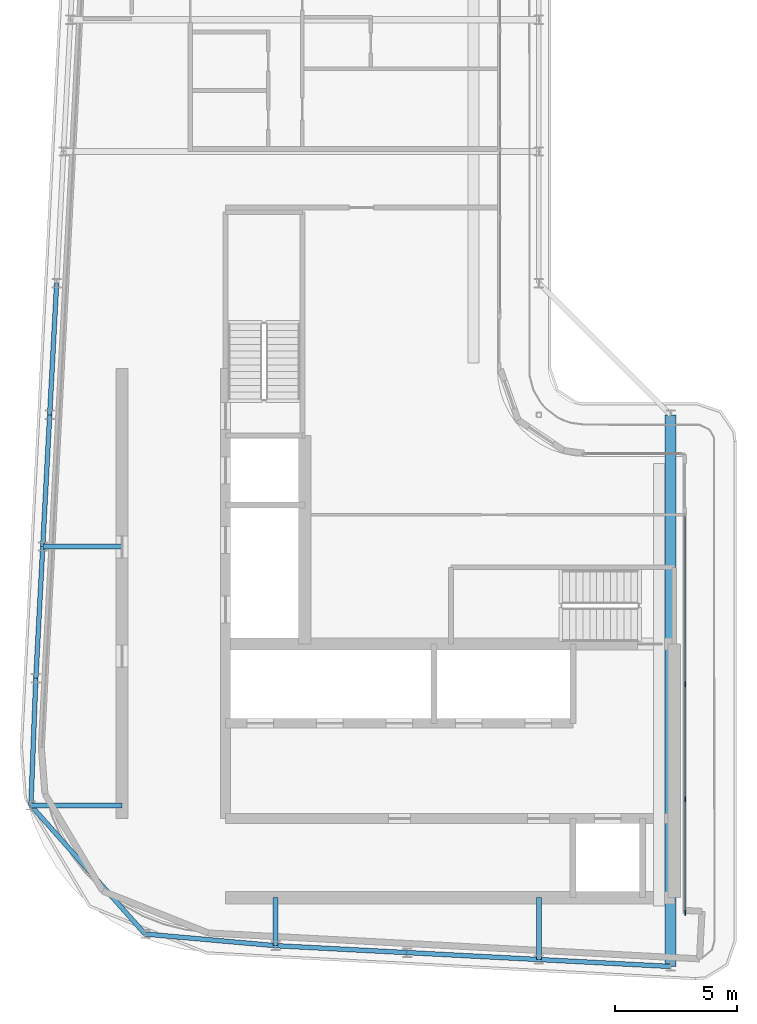
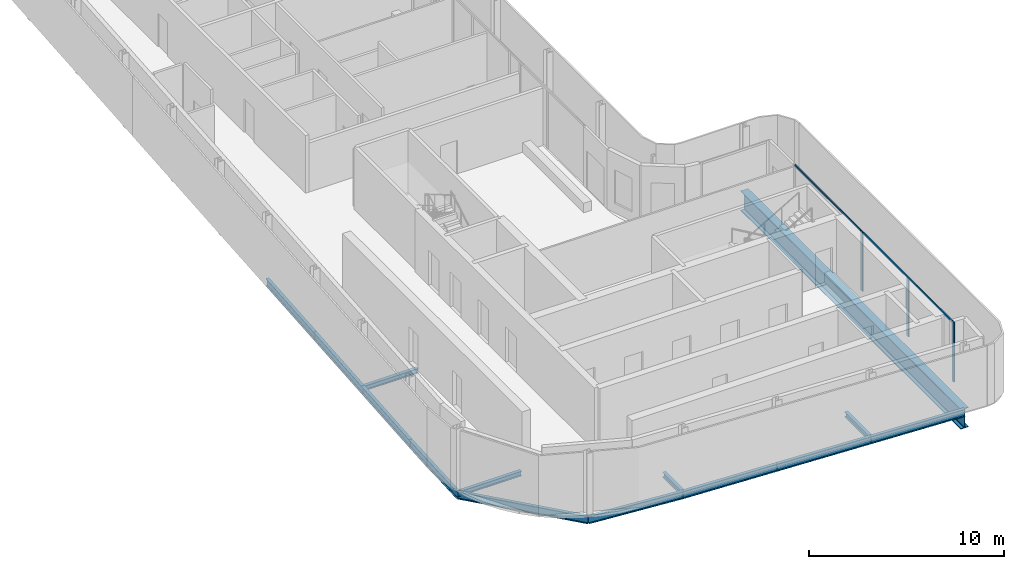
# One storey, part 4 of 18: 14 beams, 5 members, 2 elements without a shape of their own.
"""IFC4 building model written with IfcOpenShell, lengths in metres."""

from ifc_helpers import new_model, si_unit, direction, frame, origin, origin_2d, place, context, subcontext, project, spatial, rectangle, i_section, extrude, material, layer, layer_set, material_profile, profile_set, type_object, element, aggregate, save


model = new_model("IFC4")

# Units and contexts
model_context = context("Model", 3, precision=1e-05, world=origin(), true_north=direction((0.0, 1.0)))
body_context = subcontext(model_context, "Body", "Model", "MODEL_VIEW")
ifc_project = project(units=[si_unit("LENGTHUNIT", "METRE"), si_unit("AREAUNIT", "SQUARE_METRE"), si_unit("VOLUMEUNIT", "CUBIC_METRE"), si_unit("PLANEANGLEUNIT", "RADIAN"), si_unit("MASSUNIT", "GRAM", prefix="KILO")], contexts=[model_context])

# Site, building, storey
site_placement = place(None, origin())
site = spatial("IfcSite", under=ifc_project, at=site_placement, CompositionType="ELEMENT")
building_placement = place(site_placement, origin())
building = spatial("IfcBuilding", under=site, at=building_placement, Name="Kheshtan School and Residences Tower", CompositionType="ELEMENT")
storey_placement = place(building_placement, frame((0.0, 0.0, 369.5)))
storey = spatial("IfcBuildingStorey", under=building, at=storey_placement, Name="L87", CompositionType="ELEMENT", Elevation=369.5)

# Beams
ifc_material_1 = material(Name="Steel ASTM A992 Grade 50", Category="steel")
ifc_material_profile_1 = material_profile(ifc_material_1, i_section(OverallWidth=0.202880859375, OverallDepth=0.302978515625, WebThickness=0.007568359375, FlangeThickness=0.01318359375, FilletRadius=0.009033203125, at=origin_2d()), Name="W310x60")
ifc_profile_set_1 = profile_set([ifc_material_profile_1], Name="Steel ASTM A992 Grade 50")
beam_type_1 = type_object("IfcBeamType", Name="Beam FB1 W310x60 ASTM A992 Grade 50", PredefinedType="BEAM", material=ifc_profile_set_1)
beam_1_placement = place(storey_placement, frame((47.60009765625, 23.263916015625, -0.301513671875), z_axis=(0.0, 1.0, 0.0), x_axis=(-1.0, 0.0, 0.0)))
element("IfcBeam", 1, at=beam_1_placement, inside=storey, type_object=beam_type_1, Name="Floor beam C020", PredefinedType="BEAM", context=body_context, shape_type="SweptSolid", body=[
    extrude(i_section(OverallWidth=0.202880859375, OverallDepth=0.302978515625, WebThickness=0.007568359375, FlangeThickness=0.01318359375, FilletRadius=0.009033203125, at=origin_2d()), origin(), (0.0, 0.0, 1.0), 2.5361328125),
])
beam_2_placement = place(storey_placement, frame((36.800048828125, 23.83203125, -0.301513671875), z_axis=(0.0, 1.0, 0.0), x_axis=(-1.0, 0.0, 0.0)))
element("IfcBeam", 2, at=beam_2_placement, inside=storey, type_object=beam_type_1, Name="Floor beam C022", PredefinedType="BEAM", context=body_context, shape_type="SweptSolid", body=[
    extrude(i_section(OverallWidth=0.202880859375, OverallDepth=0.302978515625, WebThickness=0.007568359375, FlangeThickness=0.01318359375, FilletRadius=0.009033203125, at=origin_2d()), origin(), (0.0, 0.0, 1.0), 1.968017578125),
])
beam_3_placement = place(storey_placement, frame((26.76708984375, 29.58203125, -0.301513671875), z_axis=(1.0, 0.0, 0.0), x_axis=(0.0, 1.0, 0.0)))
element("IfcBeam", 3, at=beam_3_placement, inside=storey, type_object=beam_type_1, Name="Floor beam C048", PredefinedType="BEAM", context=body_context, shape_type="SweptSolid", body=[
    extrude(i_section(OverallWidth=0.202880859375, OverallDepth=0.302978515625, WebThickness=0.007568359375, FlangeThickness=0.01318359375, FilletRadius=0.009033203125, at=origin_2d()), origin(), (0.0, 0.0, 1.0), 3.73291015625),
])
beam_4_placement = place(storey_placement, frame((27.2529296875, 40.199951171875, -0.301513671875), z_axis=(1.0, 0.0, 0.0), x_axis=(0.0, 1.0, 0.0)))
element("IfcBeam", 4, at=beam_4_placement, inside=storey, type_object=beam_type_1, Name="Floor beam C056", PredefinedType="BEAM", context=body_context, shape_type="SweptSolid", body=[
    extrude(i_section(OverallWidth=0.202880859375, OverallDepth=0.302978515625, WebThickness=0.007568359375, FlangeThickness=0.01318359375, FilletRadius=0.009033203125, at=origin_2d()), origin(), (0.0, 0.0, 1.0), 3.2470703125),
])
ifc_material_profile_2 = material_profile(ifc_material_1, i_section(OverallWidth=0.18994140625, OverallDepth=0.45703125, WebThickness=0.009033203125, FlangeThickness=0.014404296875, FilletRadius=0.01318359375, at=origin_2d()), Name="W460x74")
ifc_profile_set_2 = profile_set([ifc_material_profile_2], Name="Steel ASTM A992 Grade 50")
beam_type_2 = type_object("IfcBeamType", Name="Beam SP4 W460x74 ASTM A992 Grade 50", PredefinedType="BEAM", material=ifc_profile_set_2)
beam_5_placement = place(storey_placement, frame((53.0, 22.97998046875, -0.37841796875), z_axis=(-0.998620447272, 0.05250906864, 0.0), x_axis=(-0.05250906864, -0.998620447272, 0.0)))
element("IfcBeam", 5, at=beam_5_placement, inside=storey, type_object=beam_type_2, Name="Spandrel beam C019-C020", PredefinedType="BEAM", context=body_context, shape_type="SweptSolid", body=[
    extrude(i_section(OverallWidth=0.18994140625, OverallDepth=0.45703125, WebThickness=0.009033203125, FlangeThickness=0.014404296875, FilletRadius=0.01318359375, at=origin_2d()), origin(), (0.0, 0.0, 1.0), 5.407470703125),
])
beam_6_placement = place(storey_placement, frame((47.60009765625, 23.263916015625, -0.37841796875), z_axis=(-0.998618203458, 0.052551724256, 0.0), x_axis=(-0.052551724256, -0.998618203458, 0.0)))
element("IfcBeam", 6, at=beam_6_placement, inside=storey, type_object=beam_type_2, Name="Spandrel beam C020-C021", PredefinedType="BEAM", context=body_context, shape_type="SweptSolid", body=[
    extrude(i_section(OverallWidth=0.18994140625, OverallDepth=0.45703125, WebThickness=0.009033203125, FlangeThickness=0.014404296875, FilletRadius=0.01318359375, at=origin_2d()), origin(), (0.0, 0.0, 1.0), 5.40771484375),
])
beam_7_placement = place(storey_placement, frame((42.199951171875, 23.548095703125, -0.37841796875), z_axis=(-0.998620447272, 0.05250906864, 0.0), x_axis=(-0.05250906864, -0.998620447272, 0.0)))
element("IfcBeam", 7, at=beam_7_placement, inside=storey, type_object=beam_type_2, Name="Spandrel beam C021-C022", PredefinedType="BEAM", context=body_context, shape_type="SweptSolid", body=[
    extrude(i_section(OverallWidth=0.18994140625, OverallDepth=0.45703125, WebThickness=0.009033203125, FlangeThickness=0.014404296875, FilletRadius=0.01318359375, at=origin_2d()), origin(), (0.0, 0.0, 1.0), 5.407470703125),
])
beam_8_placement = place(storey_placement, frame((36.800048828125, 23.83203125, -0.37841796875), z_axis=(-0.996036411806, 0.088946424077, 0.0), x_axis=(-0.088946424077, -0.996036411806, 0.0)))
element("IfcBeam", 8, at=beam_8_placement, inside=storey, type_object=beam_type_2, Name="Spandrel beam C022-C034", PredefinedType="BEAM", context=body_context, shape_type="SweptSolid", body=[
    extrude(i_section(OverallWidth=0.18994140625, OverallDepth=0.45703125, WebThickness=0.009033203125, FlangeThickness=0.014404296875, FilletRadius=0.01318359375, at=origin_2d()), origin(), (0.0, 0.0, 1.0), 5.374267578125),
])
beam_9_placement = place(storey_placement, frame((31.447021484375, 24.31005859375, -0.37841796875), z_axis=(-0.663867136248, 0.747850536812, 0.0), x_axis=(-0.747850536812, -0.663867136248, 0.0)))
element("IfcBeam", 9, at=beam_9_placement, inside=storey, type_object=beam_type_2, Name="Spandrel beam C034-C048", PredefinedType="BEAM", context=body_context, shape_type="SweptSolid", body=[
    extrude(i_section(OverallWidth=0.18994140625, OverallDepth=0.45703125, WebThickness=0.009033203125, FlangeThickness=0.014404296875, FilletRadius=0.01318359375, at=origin_2d()), origin(), (0.0, 0.0, 1.0), 7.049560546875),
])
beam_10_placement = place(storey_placement, frame((26.76708984375, 29.58203125, -0.37841796875), z_axis=(0.038664745323, 0.999252239161, 0.0), x_axis=(-0.999252239161, 0.038664745323, 0.0)))
element("IfcBeam", 10, at=beam_10_placement, inside=storey, type_object=beam_type_2, Name="Spandrel beam C048-C052", PredefinedType="BEAM", context=body_context, shape_type="SweptSolid", body=[
    extrude(i_section(OverallWidth=0.18994140625, OverallDepth=0.45703125, WebThickness=0.009033203125, FlangeThickness=0.014404296875, FilletRadius=0.01318359375, at=origin_2d()), origin(), (0.0, 0.0, 1.0), 5.221923828125),
])
beam_11_placement = place(storey_placement, frame((26.968994140625, 34.800048828125, -0.37841796875), z_axis=(0.05250906864, 0.998620447272, 0.0), x_axis=(-0.998620447272, 0.05250906864, 0.0)))
element("IfcBeam", 11, at=beam_11_placement, inside=storey, type_object=beam_type_2, Name="Spandrel beam C052-C056", PredefinedType="BEAM", context=body_context, shape_type="SweptSolid", body=[
    extrude(i_section(OverallWidth=0.18994140625, OverallDepth=0.45703125, WebThickness=0.009033203125, FlangeThickness=0.014404296875, FilletRadius=0.01318359375, at=origin_2d()), origin(), (0.0, 0.0, 1.0), 5.407470703125),
])
beam_12_placement = place(storey_placement, frame((27.2529296875, 40.199951171875, -0.37841796875), z_axis=(0.052551724256, 0.998618203458, 0.0), x_axis=(-0.998618203458, 0.052551724256, 0.0)))
element("IfcBeam", 12, at=beam_12_placement, inside=storey, type_object=beam_type_2, Name="Spandrel beam C056-C059", PredefinedType="BEAM", context=body_context, shape_type="SweptSolid", body=[
    extrude(i_section(OverallWidth=0.18994140625, OverallDepth=0.45703125, WebThickness=0.009033203125, FlangeThickness=0.014404296875, FilletRadius=0.01318359375, at=origin_2d()), origin(), (0.0, 0.0, 1.0), 5.40771484375),
])
beam_13_placement = place(storey_placement, frame((27.537109375, 45.60009765625, -0.37841796875), z_axis=(0.052689166816, 0.998610961136, 0.0), x_axis=(-0.998610961136, 0.052689166816, 0.0)))
element("IfcBeam", 13, at=beam_13_placement, inside=storey, type_object=beam_type_2, Name="Spandrel beam C059-C078", PredefinedType="BEAM", context=body_context, shape_type="SweptSolid", body=[
    extrude(i_section(OverallWidth=0.18994140625, OverallDepth=0.45703125, WebThickness=0.009033203125, FlangeThickness=0.014404296875, FilletRadius=0.01318359375, at=origin_2d()), origin(), (0.0, 0.0, 1.0), 5.407470703125),
])

# Curtain wall, member
ifc_material_2 = material(Name="Clear low-e glass in thermally broken aluminium frame", Category="aluminium")
ifc_layer = layer(ifc_material_2, 0.199951171875)
ifc_layer_set = layer_set([ifc_layer], Name="Curtain wall CW-L")
curtain_wall_type = type_object("IfcCurtainWallType", Name="Curtain wall CW-L", PredefinedType="NOTDEFINED", material=ifc_layer_set)
curtain_wall_1_placement = place(storey_placement, origin())
curtain_wall_1 = element("IfcCurtainWall", 14, at=curtain_wall_1_placement, inside=storey, type_object=curtain_wall_type, Name="Curtain wall CWL13h", PredefinedType="NOTDEFINED")
ifc_material_3 = material(Name="Thermally broken aluminium, dark bronze anodised", Category="aluminium")
ifc_material_profile_3 = material_profile(ifc_material_3, rectangle(XDim=0.06005859375, YDim=0.199951171875, at=origin_2d()), Name="CW-L mullion 60x200")
ifc_profile_set_3 = profile_set([ifc_material_profile_3], Name="Thermally broken aluminium, dark bronze anodised")
member_type_1 = type_object("IfcMemberType", Name="CW-L mullion 60x200", PredefinedType="MULLION", material=ifc_profile_set_3)
member_1_placement = place(storey_placement, frame((53.60009765625, 34.55810546875, 0.0), z_axis=(0.0, 0.0, 1.0), x_axis=(1.0, 0.0, 0.0)))
member_1 = element("IfcMember", 15, at=member_1_placement, type_object=member_type_1, Name="CWL13h mullion 2", PredefinedType="MULLION", context=body_context, shape_type="SweptSolid", body=[
    extrude(rectangle(XDim=0.06005859375, YDim=0.199951171875, at=origin_2d()), origin(), (0.0, 0.0, 1.0), 3.75),
])

# Curtain wall, members
curtain_wall_2_placement = place(storey_placement, origin())
curtain_wall_2 = element("IfcCurtainWall", 16, at=curtain_wall_2_placement, inside=storey, type_object=curtain_wall_type, Name="Curtain wall CWL13i", PredefinedType="NOTDEFINED")
member_2_placement = place(storey_placement, frame((53.60009765625, 29.842041015625, 0.0), z_axis=(0.0, 0.0, 1.0), x_axis=(1.0, 0.0, 0.0)))
member_2 = element("IfcMember", 17, at=member_2_placement, type_object=member_type_1, Name="CWL13i mullion 2", PredefinedType="MULLION", context=body_context, shape_type="SweptSolid", body=[
    extrude(rectangle(XDim=0.06005859375, YDim=0.199951171875, at=origin_2d()), origin(), (0.0, 0.0, 1.0), 3.6298828125),
])
member_3_placement = place(storey_placement, frame((53.60009765625, 25.18603515625, 0.0), z_axis=(0.0, 0.0, 1.0), x_axis=(1.0, 0.0, 0.0)))
member_3 = element("IfcMember", 18, at=member_3_placement, type_object=member_type_1, Name="CWL13i mullion 3", PredefinedType="MULLION", context=body_context, shape_type="SweptSolid", body=[
    extrude(rectangle(XDim=0.06005859375, YDim=0.199951171875, at=origin_2d()), origin(), (0.0, 0.0, 1.0), 3.75),
])

# Member
ifc_material_profile_4 = material_profile(ifc_material_3, rectangle(XDim=0.06005859375, YDim=0.1201171875, at=origin_2d()), Name="CW-L transom 60x120")
ifc_profile_set_4 = profile_set([ifc_material_profile_4], Name="Thermally broken aluminium, dark bronze anodised")
member_type_2 = type_object("IfcMemberType", Name="CW-L transom 60x120", PredefinedType="USERDEFINED", material=ifc_profile_set_4)
member_4_placement = place(storey_placement, frame((53.60009765625, 41.43994140625, 3.68994140625), z_axis=(0.0, -1.0, 0.0), x_axis=(1.0, 0.0, 0.0)))
member_4 = element("IfcMember", 19, at=member_4_placement, type_object=member_type_2, Name="CWL13h transom 1", ObjectType="TRANSOM", PredefinedType="USERDEFINED", context=body_context, shape_type="SweptSolid", body=[
    extrude(rectangle(XDim=0.06005859375, YDim=0.1201171875, at=origin_2d()), origin(), (0.0, 0.0, 1.0), 6.85205078125),
])

aggregate(curtain_wall_1, [member_1, member_4])

member_5_placement = place(storey_placement, frame((53.60009765625, 34.528076171875, 3.68994140625), z_axis=(0.0, -1.0, 0.0), x_axis=(1.0, 0.0, 0.0)))
member_5 = element("IfcMember", 20, at=member_5_placement, type_object=member_type_2, Name="CWL13i transom 1", ObjectType="TRANSOM", PredefinedType="USERDEFINED", context=body_context, shape_type="SweptSolid", body=[
    extrude(rectangle(XDim=0.06005859375, YDim=0.1201171875, at=origin_2d()), origin(), (0.0, 0.0, 1.0), 9.31201171875),
])

aggregate(curtain_wall_2, [member_2, member_3, member_5])

# Beam
ifc_material_profile_5 = material_profile(ifc_material_1, i_section(OverallWidth=0.449951171875, OverallDepth=1.25, WebThickness=0.02490234375, FlangeThickness=0.044921875, FilletRadius=0.03759765625, at=origin_2d()), Name="WWF1250x546")
ifc_profile_set_5 = profile_set([ifc_material_profile_5], Name="Steel ASTM A992 Grade 50")
beam_type_3 = type_object("IfcBeamType", Name="Transfer girder TG4 WWF1250x546 ASTM A992 Grade 50", PredefinedType="BEAM", material=ifc_profile_set_5)
beam_14_placement = place(storey_placement, frame((53.0, 45.60009765625, -0.77490234375), z_axis=(0.0, -1.0, 0.0), x_axis=(1.0, 0.0, 0.0)))
element("IfcBeam", 21, at=beam_14_placement, inside=storey, type_object=beam_type_3, Name="Transfer girder C061-C019", PredefinedType="BEAM", context=body_context, shape_type="SweptSolid", body=[
    extrude(i_section(OverallWidth=0.449951171875, OverallDepth=1.25, WebThickness=0.02490234375, FlangeThickness=0.044921875, FilletRadius=0.03759765625, at=origin_2d()), origin(), (0.0, 0.0, 1.0), 22.6201171875),
])

save(model, "model.ifc")
